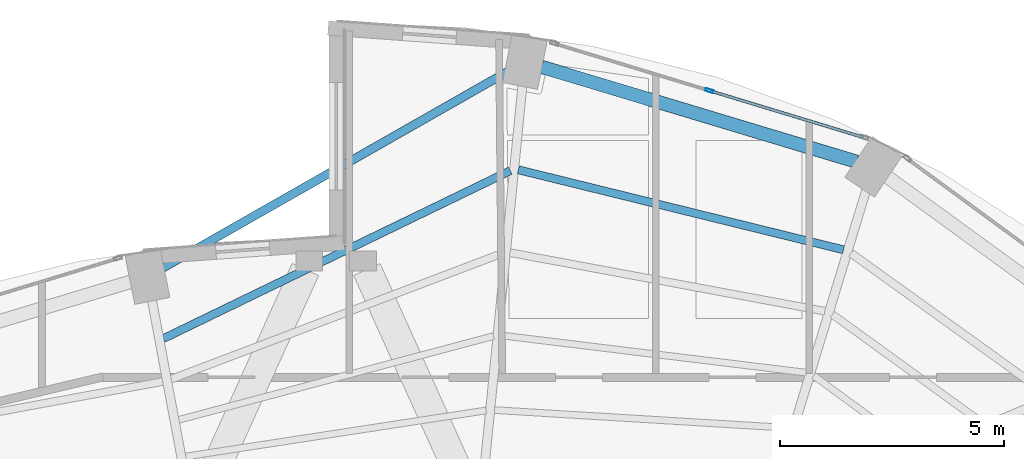
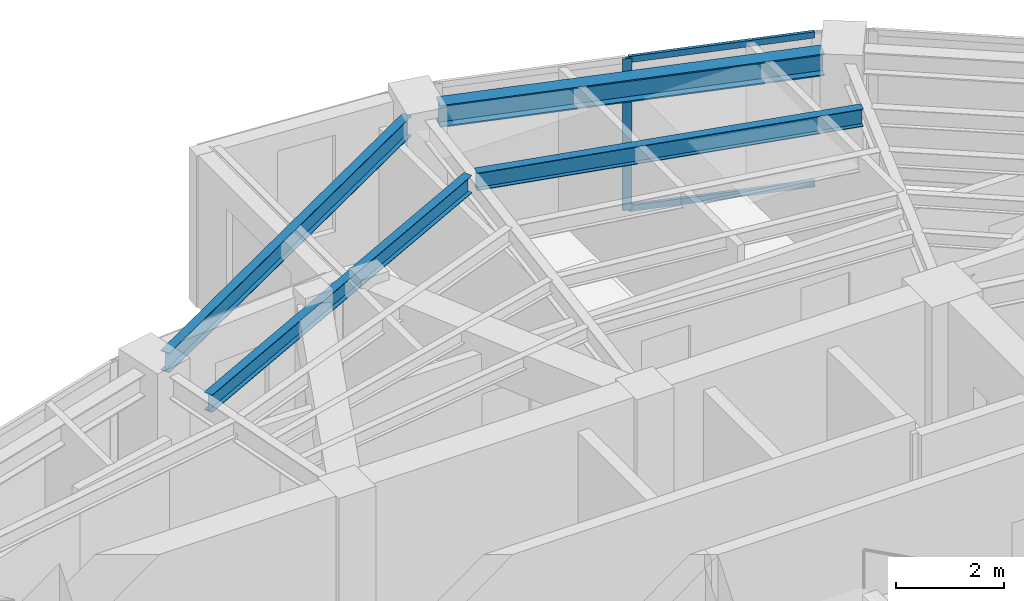
# One storey, part 14 of 21: 4 beams, 3 members, 1 element without a shape of its own.
"""IFC4 building model written with IfcOpenShell, lengths in metres."""

from ifc_helpers import new_model, si_unit, direction, frame, origin, origin_2d, place, context, subcontext, project, spatial, hollow_rectangle, i_section, extrude, material, layer, layer_set, material_profile, profile_set, type_object, element, aggregate, save


model = new_model("IFC4")

# Units and contexts
model_context = context("Model", 3, precision=1e-05, world=origin(), true_north=direction((0.0, 1.0)))
body_context = subcontext(model_context, "Body", "Model", "MODEL_VIEW")
ifc_project = project(units=[si_unit("LENGTHUNIT", "METRE"), si_unit("AREAUNIT", "SQUARE_METRE"), si_unit("VOLUMEUNIT", "CUBIC_METRE"), si_unit("PLANEANGLEUNIT", "RADIAN"), si_unit("MASSUNIT", "GRAM", prefix="KILO")], contexts=[model_context])

# Site, building, storey
site_placement = place(None, origin())
site = spatial("IfcSite", under=ifc_project, at=site_placement, CompositionType="ELEMENT")
building_placement = place(site_placement, origin())
building = spatial("IfcBuilding", under=site, at=building_placement, Name="Lazwardi Medical Tower", CompositionType="ELEMENT")
storey_placement = place(building_placement, frame((0.0, 0.0, 220.367919921875)))
storey = spatial("IfcBuildingStorey", under=building, at=storey_placement, Name="L57", CompositionType="ELEMENT", Elevation=220.367919921875)

# Beams
ifc_material_1 = material(Name="Steel S355", Category="steel")
ifc_material_profile_1 = material_profile(ifc_material_1, i_section(OverallWidth=0.300048828125, OverallDepth=0.5, WebThickness=0.014404296875, FlangeThickness=0.028076171875, at=origin_2d()), Name="HEB 500")
ifc_profile_set_1 = profile_set([ifc_material_profile_1], Name="Steel S355")
beam_type_1 = type_object("IfcBeamType", Name="BM-RB-Z4", PredefinedType="BEAM", material=ifc_profile_set_1)
beam_1_placement = place(storey_placement, frame((47.626953125, 43.56640625, 3.197998046875), z_axis=(-0.957544311906, 0.288286126506, 0.0), x_axis=(-0.288286126506, -0.957544311906, 0.0)))
element("IfcBeam", 1, at=beam_1_placement, inside=storey, type_object=beam_type_1, Name="Ring beam RB-05 B07 L57", PredefinedType="BEAM", context=body_context, shape_type="SweptSolid", body=[
    extrude(i_section(OverallWidth=0.300048828125, OverallDepth=0.5, WebThickness=0.014404296875, FlangeThickness=0.028076171875, at=origin_2d()), origin(), (0.0, 0.0, 1.0), 7.3515625),
])
ifc_material_profile_2 = material_profile(ifc_material_1, i_section(OverallWidth=0.179931640625, OverallDepth=0.39990234375, WebThickness=0.008544921875, FlangeThickness=0.013427734375, at=origin_2d()), Name="IPE 400")
ifc_profile_set_2 = profile_set([ifc_material_profile_2], Name="Steel S355")
beam_type_2 = type_object("IfcBeamType", Name="BM-SJ-01", PredefinedType="JOIST", material=ifc_profile_set_2)
beam_2_placement = place(storey_placement, frame((47.334228515625, 41.59912109375, 3.248046875), z_axis=(-0.971041669317, 0.238910184904, 0.0), x_axis=(-0.238910184904, -0.971041669317, 0.0)))
element("IfcBeam", 2, at=beam_2_placement, inside=storey, type_object=beam_type_2, Name="Secondary joist SJ-01 R1 B07 L57", PredefinedType="JOIST", context=body_context, shape_type="SweptSolid", body=[
    extrude(i_section(OverallWidth=0.179931640625, OverallDepth=0.39990234375, WebThickness=0.008544921875, FlangeThickness=0.013427734375, at=origin_2d()), origin(), (0.0, 0.0, 1.0), 7.482421875),
])
beam_3_placement = place(storey_placement, frame((39.89111328125, 43.367919921875, 3.248046875), z_axis=(-0.900068885459, -0.435747635024, 0.0), x_axis=(0.435747635024, -0.900068885459, 0.0)))
element("IfcBeam", 3, at=beam_3_placement, inside=storey, type_object=beam_type_2, Name="Secondary joist SJ-01 R1 B08 L57", PredefinedType="JOIST", context=body_context, shape_type="SweptSolid", body=[
    extrude(i_section(OverallWidth=0.179931640625, OverallDepth=0.39990234375, WebThickness=0.008544921875, FlangeThickness=0.013427734375, at=origin_2d()), origin(), (0.0, 0.0, 1.0), 8.612548828125),
])
ifc_material_profile_3 = material_profile(ifc_material_1, i_section(OverallWidth=0.18994140625, OverallDepth=0.449951171875, WebThickness=0.009521484375, FlangeThickness=0.0146484375, at=origin_2d()), Name="IPE 450")
ifc_profile_set_3 = profile_set([ifc_material_profile_3], Name="Steel S355")
beam_type_3 = type_object("IfcBeamType", Name="BM-SP-01", PredefinedType="SPANDREL", material=ifc_profile_set_3)
beam_4_placement = place(storey_placement, frame((39.875, 45.605224609375, 3.22314453125), z_axis=(-0.868954808466, -0.494891443494, 0.0), x_axis=(0.494891443494, -0.868954808466, 0.0)))
element("IfcBeam", 4, at=beam_4_placement, inside=storey, type_object=beam_type_3, Name="Spandrel beam SP-01 B08 L57", PredefinedType="SPANDREL", context=body_context, shape_type="SweptSolid", body=[
    extrude(i_section(OverallWidth=0.18994140625, OverallDepth=0.449951171875, WebThickness=0.009521484375, FlangeThickness=0.0146484375, at=origin_2d()), origin(), (0.0, 0.0, 1.0), 8.918701171875),
])

# Curtain wall, members
ifc_material_2 = material(Name="Anodised bronze aluminium and solar control glazing", Category="aluminium")
ifc_layer = layer(ifc_material_2, 0.18994140625)
ifc_layer_set = layer_set([ifc_layer], Name="Anodised bronze aluminium and solar control glazing")
curtain_wall_type = type_object("IfcCurtainWallType", Name="CW-SYS-04", PredefinedType="NOTDEFINED", material=ifc_layer_set)
curtain_wall_placement = place(storey_placement, origin())
curtain_wall = element("IfcCurtainWall", 5, at=curtain_wall_placement, inside=storey, type_object=curtain_wall_type, Name="L57 Unitised bronze curtain wall CW-04", PredefinedType="NOTDEFINED")
ifc_material_3 = material(Name="Anodised bronze aluminium", Category="aluminium")
ifc_material_profile_4 = material_profile(ifc_material_3, hollow_rectangle(XDim=0.06494140625, YDim=0.179931640625, WallThickness=0.00390625, at=origin_2d()), Name="ALU-MULLION 180x65x4")
ifc_profile_set_4 = profile_set([ifc_material_profile_4], Name="Anodised bronze aluminium")
member_type_1 = type_object("IfcMemberType", Name="CW-MUL-03", PredefinedType="MULLION", material=ifc_profile_set_4)
member_1_placement = place(storey_placement, frame((44.33642578125, 45.1552734375, 0.0), z_axis=(0.0, 0.0, 1.0), x_axis=(-0.290581889515, -0.956850126972, 0.0)))
member_1 = element("IfcMember", 6, at=member_1_placement, type_object=member_type_1, Name="CW-04 mullion 2", PredefinedType="MULLION", context=body_context, shape_type="SweptSolid", body=[
    extrude(hollow_rectangle(XDim=0.06494140625, YDim=0.179931640625, WallThickness=0.00390625, at=origin_2d()), origin(), (0.0, 0.0, 1.0), 3.447998046875),
])
ifc_material_profile_5 = material_profile(ifc_material_3, hollow_rectangle(XDim=0.06494140625, YDim=0.139892578125, WallThickness=0.00341796875, at=origin_2d()), Name="ALU-TRANSOM 140x65x3.5")
ifc_profile_set_5 = profile_set([ifc_material_profile_5], Name="Anodised bronze aluminium")
member_type_2 = type_object("IfcMemberType", Name="CW-TRN-03", PredefinedType="USERDEFINED", material=ifc_profile_set_5)
member_2_placement = place(storey_placement, frame((47.7685546875, 44.113037109375, 0.032470703125), z_axis=(-0.956862505902, 0.290541124109, 0.0), x_axis=(-0.290541124109, -0.956862505902, 0.0)))
member_2 = element("IfcMember", 7, at=member_2_placement, type_object=member_type_2, Name="CW-04 transom 1.1", ObjectType="TRANSOM", PredefinedType="USERDEFINED", context=body_context, shape_type="SweptSolid", body=[
    extrude(hollow_rectangle(XDim=0.06494140625, YDim=0.139892578125, WallThickness=0.00341796875, at=origin_2d()), origin(), (0.0, 0.0, 1.0), 3.554443359375),
])
member_3_placement = place(storey_placement, frame((47.7685546875, 44.113037109375, 3.41552734375), z_axis=(-0.956862505902, 0.290541124109, 0.0), x_axis=(-0.290541124109, -0.956862505902, 0.0)))
member_3 = element("IfcMember", 8, at=member_3_placement, type_object=member_type_2, Name="CW-04 transom 1.2", ObjectType="TRANSOM", PredefinedType="USERDEFINED", context=body_context, shape_type="SweptSolid", body=[
    extrude(hollow_rectangle(XDim=0.06494140625, YDim=0.139892578125, WallThickness=0.00341796875, at=origin_2d()), origin(), (0.0, 0.0, 1.0), 3.554443359375),
])
aggregate(curtain_wall, [member_1, member_2, member_3])

save(model, "model.ifc")
